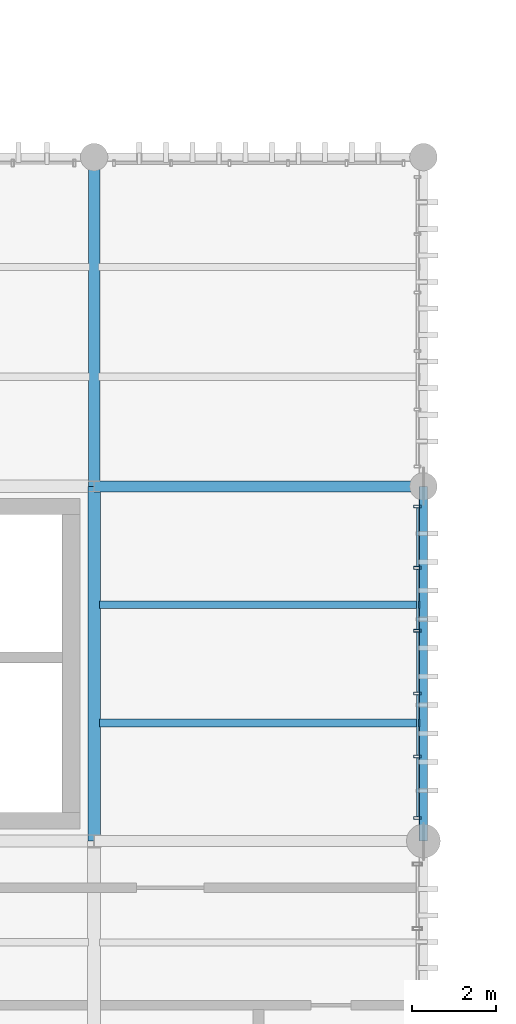
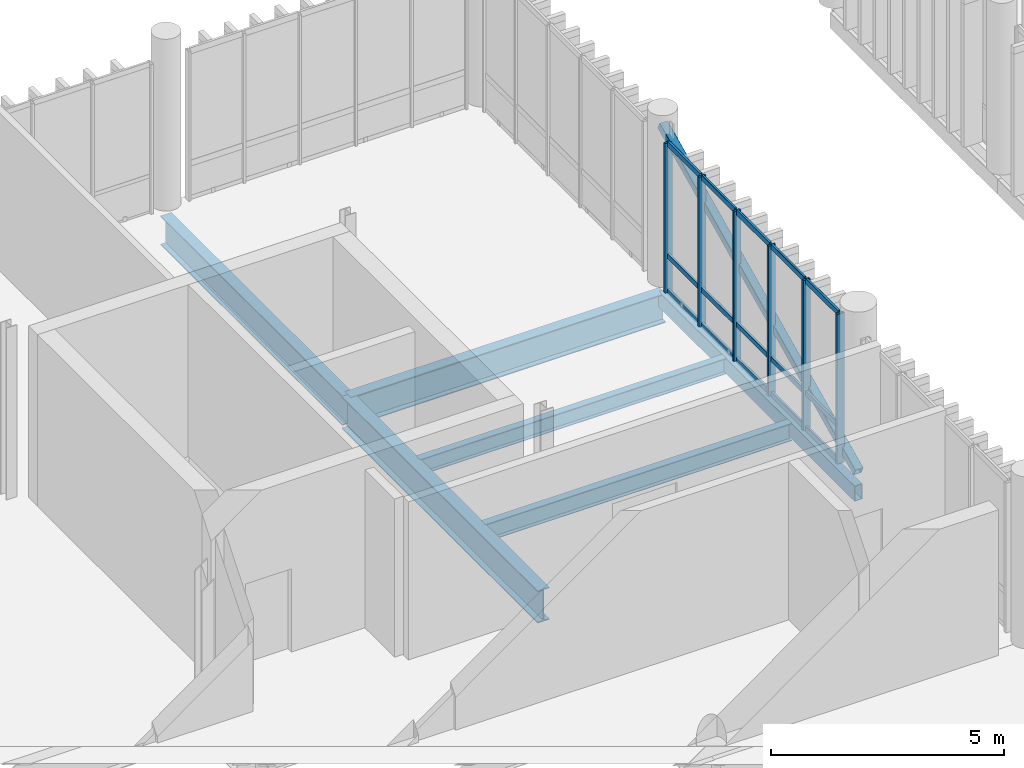
# One storey, part 18 of 66: 22 members, 6 beams, 1 element without a shape of its own.
"""IFC4 building model written with IfcOpenShell, lengths in metres."""

from ifc_helpers import new_model, si_unit, direction, frame, origin_with_axes, origin_2d_with_axis, place, context, subcontext, project, spatial, hollow_rectangle, i_section, extrude, material, material_profile, profile_set, type_object, element, aggregate, save


model = new_model("IFC4")

# Units and contexts
model_context = context("Model", 3, precision=1e-05, world=origin_with_axes(), true_north=direction((0.0, 1.0)))
body_context = subcontext(model_context, "Body", "Model", "MODEL_VIEW")
ifc_project = project(units=[si_unit("LENGTHUNIT", "METRE"), si_unit("AREAUNIT", "SQUARE_METRE"), si_unit("VOLUMEUNIT", "CUBIC_METRE"), si_unit("PLANEANGLEUNIT", "RADIAN"), si_unit("MASSUNIT", "GRAM", prefix="KILO"), si_unit("THERMODYNAMICTEMPERATUREUNIT", "KELVIN")], contexts=[model_context])

# Site, building, storey
site_placement = place(None, origin_with_axes())
site = spatial("IfcSite", under=ifc_project, at=site_placement, CompositionType="ELEMENT")
building_placement = place(site_placement, origin_with_axes())
building = spatial("IfcBuilding", under=site, at=building_placement, Name="Montbau Bow Law Courts", CompositionType="ELEMENT")
storey_placement = place(building_placement, frame((0.0, 0.0, 34.5), z_axis=(0.0, 0.0, 1.0), x_axis=(1.0, 0.0, 0.0)))
storey = spatial("IfcBuildingStorey", under=building, at=storey_placement, Name="L07", CompositionType="ELEMENT", Elevation=34.5)

# Beams
ifc_material_1 = material(Name="Steel CSA G40.21 Grade 350W (350 MPa)", Category="steel")
ifc_material_profile_1 = material_profile(ifc_material_1, i_section(OverallWidth=0.293, OverallDepth=0.846, WebThickness=0.0154, FlangeThickness=0.0244, at=origin_2d_with_axis()), Name="W840X210", Category="Main", Priority=0)
ifc_profile_set_1 = profile_set([ifc_material_profile_1], Name="Steel CSA G40.21 Grade 350W (350 MPa)")
beam_type_1 = type_object("IfcBeamType", Name="B-FLR-02", PredefinedType="BEAM", material=ifc_profile_set_1)
beam_1_placement = place(None, frame((39.0, 46.2, 33.777), z_axis=(0.0, 1.0, 0.0), x_axis=(-1.0, 0.0, 0.0)))
element("IfcBeam", 1, at=beam_1_placement, inside=storey, type_object=beam_type_1, Name="BM-L07-S0754:bm2_0757", PredefinedType="BEAM", context=body_context, shape_type="SweptSolid", body=[
    extrude(i_section(OverallWidth=0.293, OverallDepth=0.846, WebThickness=0.0154, FlangeThickness=0.0244, at=origin_2d_with_axis()), origin_with_axes(), (0.0, 0.0, 1.0), 8.4),
])
ifc_material_profile_2 = material_profile(ifc_material_1, i_section(OverallWidth=0.267, OverallDepth=0.766, WebThickness=0.0149, FlangeThickness=0.0236, at=origin_2d_with_axis()), Name="W760X185", Category="Main", Priority=0)
ifc_profile_set_2 = profile_set([ifc_material_profile_2], Name="Steel CSA G40.21 Grade 350W (350 MPa)")
beam_type_2 = type_object("IfcBeamType", Name="B-FLR-03", PredefinedType="BEAM", material=ifc_profile_set_2)
for number, where, z_axis, x_axis, name in (
    (2, (39.0, 54.6, 33.817), (1.0, 0.0, 0.0), (0.0, 1.0, 0.0), "BM-L07-S0732:bm2_0735"),
    (3, (39.0, 54.6, 33.817), (0.0, 1.0, 0.0), (-1.0, 0.0, 0.0), "BM-L07-S0755:bm2_0758"),
):
    element("IfcBeam", number, at=place(None, frame(where, z_axis=z_axis, x_axis=x_axis)), inside=storey, type_object=beam_type_2, Name=name, PredefinedType="BEAM", context=body_context, shape_type="SweptSolid", body=[
        extrude(i_section(OverallWidth=0.267, OverallDepth=0.766, WebThickness=0.0149, FlangeThickness=0.0236, at=origin_2d_with_axis()), origin_with_axes(), (0.0, 0.0, 1.0), 7.8),
    ])
ifc_material_profile_3 = material_profile(ifc_material_1, i_section(OverallWidth=0.191, OverallDepth=0.46, WebThickness=0.0099, FlangeThickness=0.016, at=origin_2d_with_axis()), Name="W460X82", Category="Main", Priority=0)
ifc_profile_set_3 = profile_set([ifc_material_profile_3], Name="Steel CSA G40.21 Grade 350W (350 MPa)")
beam_type_3 = type_object("IfcBeamType", Name="B-JST-01", PredefinedType="JOIST", material=ifc_profile_set_3)
beam_2_placement = place(None, frame((39.123, 49.0, 33.97), z_axis=(1.0, 0.0, 0.0), x_axis=(0.0, 1.0, 0.0)))
element("IfcBeam", 4, at=beam_2_placement, inside=storey, type_object=beam_type_3, Name="JST-L07-S0384:jst2_0384", PredefinedType="JOIST", context=body_context, shape_type="SweptSolid", body=[
    extrude(i_section(OverallWidth=0.191, OverallDepth=0.46, WebThickness=0.0099, FlangeThickness=0.016, at=origin_2d_with_axis()), origin_with_axes(), (0.0, 0.0, 1.0), 7.597),
])
ifc_material_profile_4 = material_profile(ifc_material_1, i_section(OverallWidth=0.179, OverallDepth=0.41, WebThickness=0.0088, FlangeThickness=0.0144, at=origin_2d_with_axis()), Name="W410X67", Category="Main", Priority=0)
ifc_profile_set_4 = profile_set([ifc_material_profile_4], Name="Steel CSA G40.21 Grade 350W (350 MPa)")
beam_type_4 = type_object("IfcBeamType", Name="B-JST-02", PredefinedType="JOIST", material=ifc_profile_set_4)
beam_3_placement = place(None, frame((39.123, 51.8, 33.995), z_axis=(1.0, 0.0, 0.0), x_axis=(0.0, 1.0, 0.0)))
element("IfcBeam", 5, at=beam_3_placement, inside=storey, type_object=beam_type_4, Name="JST-L07-S0385:jst2_0385", PredefinedType="JOIST", context=body_context, shape_type="SweptSolid", body=[
    extrude(i_section(OverallWidth=0.179, OverallDepth=0.41, WebThickness=0.0088, FlangeThickness=0.0144, at=origin_2d_with_axis()), origin_with_axes(), (0.0, 0.0, 1.0), 7.597),
])
ifc_material_2 = material(Name="Steel CSA G40.21 Grade 350WT (350 MPa)", Category="steel")
ifc_material_profile_5 = material_profile(ifc_material_2, hollow_rectangle(XDim=0.203, YDim=0.406, WallThickness=0.0127, InnerFilletRadius=0.0254, OuterFilletRadius=0.0127, at=origin_2d_with_axis()), Name="HSS406X203X13", Category="Main", Priority=0)
ifc_profile_set_5 = profile_set([ifc_material_profile_5], Name="Steel CSA G40.21 Grade 350WT (350 MPa)")
beam_type_5 = type_object("IfcBeamType", Name="B-SPN-01", PredefinedType="SPANDREL", material=ifc_profile_set_5)
beam_4_placement = place(None, frame((46.8, 46.2, 33.997), z_axis=(0.0, 1.0, 0.0), x_axis=(-1.0, 0.0, 0.0)))
element("IfcBeam", 6, at=beam_4_placement, inside=storey, type_object=beam_type_5, Name="SPN-L07-S0758:bm2_0761", PredefinedType="SPANDREL", context=body_context, shape_type="SweptSolid", body=[
    extrude(hollow_rectangle(XDim=0.203, YDim=0.406, WallThickness=0.0127, InnerFilletRadius=0.0254, OuterFilletRadius=0.0127, at=origin_2d_with_axis()), origin_with_axes(), (0.0, 0.0, 1.0), 8.4),
])

# Member
ifc_material_profile_6 = material_profile(ifc_material_1, hollow_rectangle(XDim=0.203, YDim=0.203, WallThickness=0.0111, InnerFilletRadius=0.0222, OuterFilletRadius=0.0111, at=origin_2d_with_axis()), Name="HSS203X203X11", Category="Main", Priority=0)
ifc_profile_set_6 = profile_set([ifc_material_profile_6], Name="Steel CSA G40.21 Grade 350W (350 MPa)")
member_type_1 = type_object("IfcMemberType", Name="M-BRC-02", PredefinedType="BRACE", material=ifc_profile_set_6)
member_1_placement = place(None, frame((46.8, 46.2, 34.55), z_axis=(0.0, 0.902985663, 0.429670678), x_axis=(-1.0, 0.0, 0.0)))
element("IfcMember", 7, at=member_1_placement, inside=storey, type_object=member_type_1, Name="Diagonal brace CBF-L07-050A", PredefinedType="BRACE", context=body_context, shape_type="SweptSolid", body=[
    extrude(hollow_rectangle(XDim=0.203, YDim=0.203, WallThickness=0.0111, InnerFilletRadius=0.0222, OuterFilletRadius=0.0111, at=origin_2d_with_axis()), origin_with_axes(), (0.0, 0.0, 1.0), 9.302473),
])

# Curtain wall, members
ifc_material_3 = material(Name="Thermally Broken Extruded Aluminium AA 6063-T6", Category="aluminium")
curtain_wall_type = type_object("IfcCurtainWallType", Name="CW-TRC-02", PredefinedType="NOTDEFINED", material=ifc_material_3)
curtain_wall_placement = place(None, frame((46.66, 46.715, 34.5), z_axis=(0.0, 0.0, 1.0), x_axis=(1.0, 0.0, 0.0)))
curtain_wall = element("IfcCurtainWall", 8, at=curtain_wall_placement, inside=storey, type_object=curtain_wall_type, Name="CW-L07-121:cw_0121", PredefinedType="NOTDEFINED")
ifc_material_profile_7 = material_profile(ifc_material_3, hollow_rectangle(XDim=0.065, YDim=0.18, WallThickness=0.005, InnerFilletRadius=0.01, OuterFilletRadius=0.005, at=origin_2d_with_axis()), Name="CWM-180X65", Category="Main", Priority=0)
ifc_profile_set_7 = profile_set([ifc_material_profile_7], Name="Thermally Broken Extruded Aluminium AA 6063-T6")
member_type_2 = type_object("IfcMemberType", Name="M-MUL-02", PredefinedType="MULLION", material=ifc_profile_set_7)
member_2_placement = place(None, frame((46.66, 46.748, 34.5), z_axis=(0.0, 0.0, 1.0), x_axis=(0.0, 1.0, 0.0)))
member_2 = element("IfcMember", 9, at=member_2_placement, type_object=member_type_2, Name="CW-L07-121-M01:cw_0121_M01", PredefinedType="MULLION", context=body_context, shape_type="SweptSolid", body=[
    extrude(hollow_rectangle(XDim=0.065, YDim=0.18, WallThickness=0.005, InnerFilletRadius=0.01, OuterFilletRadius=0.005, at=origin_2d_with_axis()), origin_with_axes(), (0.0, 0.0, 1.0), 3.92),
])
member_3_placement = place(None, frame((46.66, 48.204, 34.5), z_axis=(0.0, 0.0, 1.0), x_axis=(0.0, 1.0, 0.0)))
member_3 = element("IfcMember", 10, at=member_3_placement, type_object=member_type_2, Name="CW-L07-121-M02:cw_0121_M02", PredefinedType="MULLION", context=body_context, shape_type="SweptSolid", body=[
    extrude(hollow_rectangle(XDim=0.065, YDim=0.18, WallThickness=0.005, InnerFilletRadius=0.01, OuterFilletRadius=0.005, at=origin_2d_with_axis()), origin_with_axes(), (0.0, 0.0, 1.0), 3.92),
])
member_4_placement = place(None, frame((46.66, 49.693, 34.5), z_axis=(0.0, 0.0, 1.0), x_axis=(0.0, 1.0, 0.0)))
member_4 = element("IfcMember", 11, at=member_4_placement, type_object=member_type_2, Name="CW-L07-121-M03:cw_0121_M03", PredefinedType="MULLION", context=body_context, shape_type="SweptSolid", body=[
    extrude(hollow_rectangle(XDim=0.065, YDim=0.18, WallThickness=0.005, InnerFilletRadius=0.01, OuterFilletRadius=0.005, at=origin_2d_with_axis()), origin_with_axes(), (0.0, 0.0, 1.0), 3.92),
])
member_5_placement = place(None, frame((46.66, 51.182, 34.5), z_axis=(0.0, 0.0, 1.0), x_axis=(0.0, 1.0, 0.0)))
member_5 = element("IfcMember", 12, at=member_5_placement, type_object=member_type_2, Name="CW-L07-121-M04:cw_0121_M04", PredefinedType="MULLION", context=body_context, shape_type="SweptSolid", body=[
    extrude(hollow_rectangle(XDim=0.065, YDim=0.18, WallThickness=0.005, InnerFilletRadius=0.01, OuterFilletRadius=0.005, at=origin_2d_with_axis()), origin_with_axes(), (0.0, 0.0, 1.0), 3.92),
])
member_6_placement = place(None, frame((46.66, 52.671, 34.5), z_axis=(0.0, 0.0, 1.0), x_axis=(0.0, 1.0, 0.0)))
member_6 = element("IfcMember", 13, at=member_6_placement, type_object=member_type_2, Name="CW-L07-121-M05:cw_0121_M05", PredefinedType="MULLION", context=body_context, shape_type="SweptSolid", body=[
    extrude(hollow_rectangle(XDim=0.065, YDim=0.18, WallThickness=0.005, InnerFilletRadius=0.01, OuterFilletRadius=0.005, at=origin_2d_with_axis()), origin_with_axes(), (0.0, 0.0, 1.0), 3.92),
])
member_7_placement = place(None, frame((46.66, 54.127, 34.5), z_axis=(0.0, 0.0, 1.0), x_axis=(0.0, 1.0, 0.0)))
member_7 = element("IfcMember", 14, at=member_7_placement, type_object=member_type_2, Name="CW-L07-121-M06:cw_0121_M06", PredefinedType="MULLION", context=body_context, shape_type="SweptSolid", body=[
    extrude(hollow_rectangle(XDim=0.065, YDim=0.18, WallThickness=0.005, InnerFilletRadius=0.01, OuterFilletRadius=0.005, at=origin_2d_with_axis()), origin_with_axes(), (0.0, 0.0, 1.0), 3.92),
])
ifc_material_profile_8 = material_profile(ifc_material_3, hollow_rectangle(XDim=0.055, YDim=0.14, WallThickness=0.004, InnerFilletRadius=0.008, OuterFilletRadius=0.004, at=origin_2d_with_axis()), Name="CWT-140X55", Category="Main", Priority=0)
ifc_profile_set_8 = profile_set([ifc_material_profile_8], Name="Thermally Broken Extruded Aluminium AA 6063-T6")
member_type_3 = type_object("IfcMemberType", Name="M-TRN-02", PredefinedType="USERDEFINED", material=ifc_profile_set_8)
member_8_placement = place(None, frame((46.66, 46.783, 34.528), z_axis=(0.0, 1.0, 0.0), x_axis=(-1.0, 0.0, 0.0)))
member_8 = element("IfcMember", 15, at=member_8_placement, type_object=member_type_3, Name="CW-L07-121-T01-1:cw_0121_T01_1", ObjectType="TRANSOM", PredefinedType="USERDEFINED", context=body_context, shape_type="SweptSolid", body=[
    extrude(hollow_rectangle(XDim=0.055, YDim=0.14, WallThickness=0.004, InnerFilletRadius=0.008, OuterFilletRadius=0.004, at=origin_2d_with_axis()), origin_with_axes(), (0.0, 0.0, 1.0), 1.387),
])
member_9_placement = place(None, frame((46.66, 46.783, 35.45), z_axis=(0.0, 1.0, 0.0), x_axis=(-1.0, 0.0, 0.0)))
member_9 = element("IfcMember", 16, at=member_9_placement, type_object=member_type_3, Name="CW-L07-121-T01-2:cw_0121_T01_2", ObjectType="TRANSOM", PredefinedType="USERDEFINED", context=body_context, shape_type="SweptSolid", body=[
    extrude(hollow_rectangle(XDim=0.055, YDim=0.14, WallThickness=0.004, InnerFilletRadius=0.008, OuterFilletRadius=0.004, at=origin_2d_with_axis()), origin_with_axes(), (0.0, 0.0, 1.0), 1.387),
])
member_10_placement = place(None, frame((46.66, 46.783, 38.392), z_axis=(0.0, 1.0, 0.0), x_axis=(-1.0, 0.0, 0.0)))
member_10 = element("IfcMember", 17, at=member_10_placement, type_object=member_type_3, Name="CW-L07-121-T01-3:cw_0121_T01_3", ObjectType="TRANSOM", PredefinedType="USERDEFINED", context=body_context, shape_type="SweptSolid", body=[
    extrude(hollow_rectangle(XDim=0.055, YDim=0.14, WallThickness=0.004, InnerFilletRadius=0.008, OuterFilletRadius=0.004, at=origin_2d_with_axis()), origin_with_axes(), (0.0, 0.0, 1.0), 1.387),
])
member_11_placement = place(None, frame((46.66, 48.239, 34.528), z_axis=(0.0, 1.0, 0.0), x_axis=(-1.0, 0.0, 0.0)))
member_11 = element("IfcMember", 18, at=member_11_placement, type_object=member_type_3, Name="CW-L07-121-T02-1:cw_0121_T02_1", ObjectType="TRANSOM", PredefinedType="USERDEFINED", context=body_context, shape_type="SweptSolid", body=[
    extrude(hollow_rectangle(XDim=0.055, YDim=0.14, WallThickness=0.004, InnerFilletRadius=0.008, OuterFilletRadius=0.004, at=origin_2d_with_axis()), origin_with_axes(), (0.0, 0.0, 1.0), 1.42),
])
member_12_placement = place(None, frame((46.66, 48.239, 35.45), z_axis=(0.0, 1.0, 0.0), x_axis=(-1.0, 0.0, 0.0)))
member_12 = element("IfcMember", 19, at=member_12_placement, type_object=member_type_3, Name="CW-L07-121-T02-2:cw_0121_T02_2", ObjectType="TRANSOM", PredefinedType="USERDEFINED", context=body_context, shape_type="SweptSolid", body=[
    extrude(hollow_rectangle(XDim=0.055, YDim=0.14, WallThickness=0.004, InnerFilletRadius=0.008, OuterFilletRadius=0.004, at=origin_2d_with_axis()), origin_with_axes(), (0.0, 0.0, 1.0), 1.42),
])
member_13_placement = place(None, frame((46.66, 48.239, 38.392), z_axis=(0.0, 1.0, 0.0), x_axis=(-1.0, 0.0, 0.0)))
member_13 = element("IfcMember", 20, at=member_13_placement, type_object=member_type_3, Name="CW-L07-121-T02-3:cw_0121_T02_3", ObjectType="TRANSOM", PredefinedType="USERDEFINED", context=body_context, shape_type="SweptSolid", body=[
    extrude(hollow_rectangle(XDim=0.055, YDim=0.14, WallThickness=0.004, InnerFilletRadius=0.008, OuterFilletRadius=0.004, at=origin_2d_with_axis()), origin_with_axes(), (0.0, 0.0, 1.0), 1.42),
])
member_14_placement = place(None, frame((46.66, 49.728, 34.528), z_axis=(0.0, 1.0, 0.0), x_axis=(-1.0, 0.0, 0.0)))
member_14 = element("IfcMember", 21, at=member_14_placement, type_object=member_type_3, Name="CW-L07-121-T03-1:cw_0121_T03_1", ObjectType="TRANSOM", PredefinedType="USERDEFINED", context=body_context, shape_type="SweptSolid", body=[
    extrude(hollow_rectangle(XDim=0.055, YDim=0.14, WallThickness=0.004, InnerFilletRadius=0.008, OuterFilletRadius=0.004, at=origin_2d_with_axis()), origin_with_axes(), (0.0, 0.0, 1.0), 1.42),
])
member_15_placement = place(None, frame((46.66, 49.728, 35.45), z_axis=(0.0, 1.0, 0.0), x_axis=(-1.0, 0.0, 0.0)))
member_15 = element("IfcMember", 22, at=member_15_placement, type_object=member_type_3, Name="CW-L07-121-T03-2:cw_0121_T03_2", ObjectType="TRANSOM", PredefinedType="USERDEFINED", context=body_context, shape_type="SweptSolid", body=[
    extrude(hollow_rectangle(XDim=0.055, YDim=0.14, WallThickness=0.004, InnerFilletRadius=0.008, OuterFilletRadius=0.004, at=origin_2d_with_axis()), origin_with_axes(), (0.0, 0.0, 1.0), 1.42),
])
member_16_placement = place(None, frame((46.66, 49.728, 38.392), z_axis=(0.0, 1.0, 0.0), x_axis=(-1.0, 0.0, 0.0)))
member_16 = element("IfcMember", 23, at=member_16_placement, type_object=member_type_3, Name="CW-L07-121-T03-3:cw_0121_T03_3", ObjectType="TRANSOM", PredefinedType="USERDEFINED", context=body_context, shape_type="SweptSolid", body=[
    extrude(hollow_rectangle(XDim=0.055, YDim=0.14, WallThickness=0.004, InnerFilletRadius=0.008, OuterFilletRadius=0.004, at=origin_2d_with_axis()), origin_with_axes(), (0.0, 0.0, 1.0), 1.42),
])
member_17_placement = place(None, frame((46.66, 51.216, 34.528), z_axis=(0.0, 1.0, 0.0), x_axis=(-1.0, 0.0, 0.0)))
member_17 = element("IfcMember", 24, at=member_17_placement, type_object=member_type_3, Name="CW-L07-121-T04-1:cw_0121_T04_1", ObjectType="TRANSOM", PredefinedType="USERDEFINED", context=body_context, shape_type="SweptSolid", body=[
    extrude(hollow_rectangle(XDim=0.055, YDim=0.14, WallThickness=0.004, InnerFilletRadius=0.008, OuterFilletRadius=0.004, at=origin_2d_with_axis()), origin_with_axes(), (0.0, 0.0, 1.0), 1.421),
])
member_18_placement = place(None, frame((46.66, 51.216, 35.45), z_axis=(0.0, 1.0, 0.0), x_axis=(-1.0, 0.0, 0.0)))
member_18 = element("IfcMember", 25, at=member_18_placement, type_object=member_type_3, Name="CW-L07-121-T04-2:cw_0121_T04_2", ObjectType="TRANSOM", PredefinedType="USERDEFINED", context=body_context, shape_type="SweptSolid", body=[
    extrude(hollow_rectangle(XDim=0.055, YDim=0.14, WallThickness=0.004, InnerFilletRadius=0.008, OuterFilletRadius=0.004, at=origin_2d_with_axis()), origin_with_axes(), (0.0, 0.0, 1.0), 1.421),
])
member_19_placement = place(None, frame((46.66, 51.216, 38.392), z_axis=(0.0, 1.0, 0.0), x_axis=(-1.0, 0.0, 0.0)))
member_19 = element("IfcMember", 26, at=member_19_placement, type_object=member_type_3, Name="CW-L07-121-T04-3:cw_0121_T04_3", ObjectType="TRANSOM", PredefinedType="USERDEFINED", context=body_context, shape_type="SweptSolid", body=[
    extrude(hollow_rectangle(XDim=0.055, YDim=0.14, WallThickness=0.004, InnerFilletRadius=0.008, OuterFilletRadius=0.004, at=origin_2d_with_axis()), origin_with_axes(), (0.0, 0.0, 1.0), 1.421),
])
member_20_placement = place(None, frame((46.66, 52.705, 34.528), z_axis=(0.0, 1.0, 0.0), x_axis=(-1.0, 0.0, 0.0)))
member_20 = element("IfcMember", 27, at=member_20_placement, type_object=member_type_3, Name="CW-L07-121-T05-1:cw_0121_T05_1", ObjectType="TRANSOM", PredefinedType="USERDEFINED", context=body_context, shape_type="SweptSolid", body=[
    extrude(hollow_rectangle(XDim=0.055, YDim=0.14, WallThickness=0.004, InnerFilletRadius=0.008, OuterFilletRadius=0.004, at=origin_2d_with_axis()), origin_with_axes(), (0.0, 0.0, 1.0), 1.388),
])
member_21_placement = place(None, frame((46.66, 52.705, 35.45), z_axis=(0.0, 1.0, 0.0), x_axis=(-1.0, 0.0, 0.0)))
member_21 = element("IfcMember", 28, at=member_21_placement, type_object=member_type_3, Name="CW-L07-121-T05-2:cw_0121_T05_2", ObjectType="TRANSOM", PredefinedType="USERDEFINED", context=body_context, shape_type="SweptSolid", body=[
    extrude(hollow_rectangle(XDim=0.055, YDim=0.14, WallThickness=0.004, InnerFilletRadius=0.008, OuterFilletRadius=0.004, at=origin_2d_with_axis()), origin_with_axes(), (0.0, 0.0, 1.0), 1.388),
])
member_22_placement = place(None, frame((46.66, 52.705, 38.392), z_axis=(0.0, 1.0, 0.0), x_axis=(-1.0, 0.0, 0.0)))
member_22 = element("IfcMember", 29, at=member_22_placement, type_object=member_type_3, Name="CW-L07-121-T05-3:cw_0121_T05_3", ObjectType="TRANSOM", PredefinedType="USERDEFINED", context=body_context, shape_type="SweptSolid", body=[
    extrude(hollow_rectangle(XDim=0.055, YDim=0.14, WallThickness=0.004, InnerFilletRadius=0.008, OuterFilletRadius=0.004, at=origin_2d_with_axis()), origin_with_axes(), (0.0, 0.0, 1.0), 1.388),
])
aggregate(curtain_wall, [member_2, member_3, member_4, member_5, member_6, member_7, member_8, member_9, member_10, member_11, member_12, member_13, member_14, member_15, member_16, member_17, member_18, member_19, member_20, member_21, member_22])

save(model, "model.ifc")
